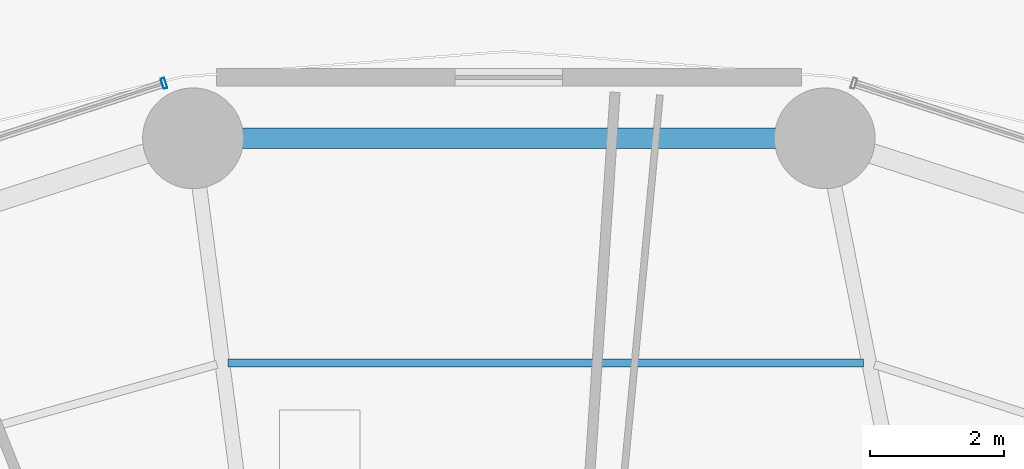
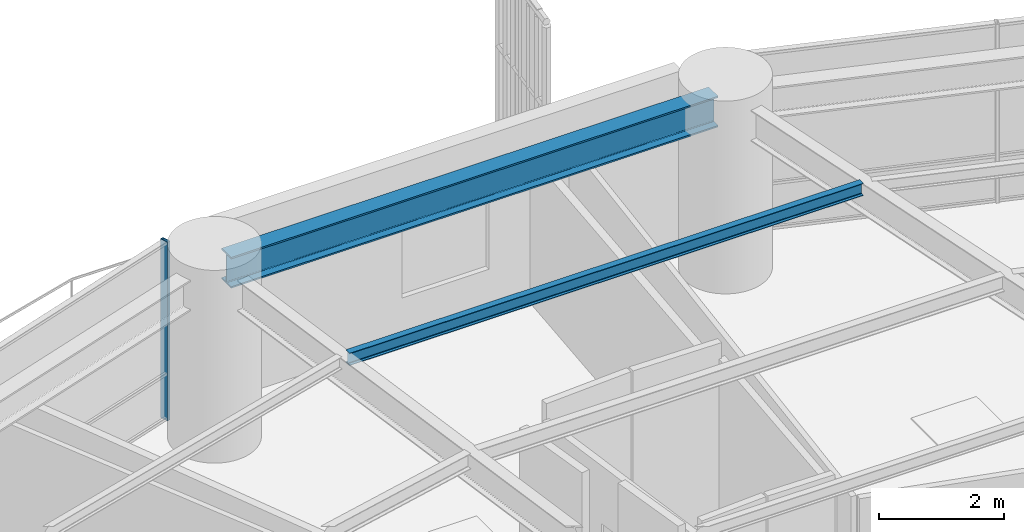
# One storey, part 18 of 34: 2 beams, 1 member, 1 element without a shape of its own.
"""IFC4 building model written with IfcOpenShell, lengths in metres."""

from ifc_helpers import new_model, si_unit, direction, frame, origin, origin_2d, place, context, subcontext, project, spatial, hollow_rectangle, i_section, extrude, material, layer, layer_set, material_profile, profile_set, type_object, element, aggregate, save


model = new_model("IFC4")

# Units and contexts
model_context = context("Model", 3, precision=1e-05, world=origin(), true_north=direction((0.0, 1.0)))
body_context = subcontext(model_context, "Body", "Model", "MODEL_VIEW")
ifc_project = project(units=[si_unit("LENGTHUNIT", "METRE"), si_unit("AREAUNIT", "SQUARE_METRE"), si_unit("VOLUMEUNIT", "CUBIC_METRE"), si_unit("PLANEANGLEUNIT", "RADIAN"), si_unit("MASSUNIT", "GRAM", prefix="KILO")], contexts=[model_context])

# Site, building, storey
site_placement = place(None, origin())
site = spatial("IfcSite", under=ifc_project, at=site_placement, CompositionType="ELEMENT")
building_placement = place(site_placement, origin())
building = spatial("IfcBuilding", under=site, at=building_placement, Name="Kelanora Arch Commons", CompositionType="ELEMENT")
storey_placement = place(building_placement, frame((0.0, 0.0, 33.75)))
storey = spatial("IfcBuildingStorey", under=building, at=storey_placement, Name="L08", CompositionType="ELEMENT", Elevation=33.75)

# Beams
ifc_material_1 = material(Name="Steel S355", Category="steel")
ifc_material_profile_1 = material_profile(ifc_material_1, i_section(OverallWidth=0.1201171875, OverallDepth=0.239990234375, WebThickness=0.006103515625, FlangeThickness=0.009765625, FilletRadius=0.014892578125, at=origin_2d()), Name="IPE240")
ifc_profile_set_1 = profile_set([ifc_material_profile_1], Name="Steel S355")
beam_type_1 = type_object("IfcBeamType", Name="BM-JST-02", PredefinedType="JOIST", material=ifc_profile_set_1)
beam_1_placement = place(storey_placement, frame((79.27685546875, 78.371337890625, 3.3701171875), z_axis=(-1.0, 0.0, 0.0), x_axis=(0.0, -1.0, 0.0)))
element("IfcBeam", 1, at=beam_1_placement, inside=storey, type_object=beam_type_1, Name="Secondary Chord Joist BJC-08 L08", PredefinedType="JOIST", context=body_context, shape_type="SweptSolid", body=[
    extrude(i_section(OverallWidth=0.1201171875, OverallDepth=0.239990234375, WebThickness=0.006103515625, FlangeThickness=0.009765625, FilletRadius=0.014892578125, at=origin_2d()), origin(), (0.0, 0.0, 1.0), 9.457763671875),
])
ifc_material_profile_2 = material_profile(ifc_material_1, i_section(OverallWidth=0.300048828125, OverallDepth=0.60009765625, WebThickness=0.015380859375, FlangeThickness=0.030029296875, FilletRadius=0.027099609375, at=origin_2d()), Name="HEB600")
ifc_profile_set_2 = profile_set([ifc_material_profile_2], Name="Steel S355")
beam_type_2 = type_object("IfcBeamType", Name="BM-SPN-Z1", PredefinedType="SPANDREL", material=ifc_profile_set_2)
beam_2_placement = place(storey_placement, frame((78.482421875, 81.714111328125, 3.18994140625), z_axis=(-1.0, 0.0, 0.0), x_axis=(0.0, -1.0, 0.0)))
element("IfcBeam", 2, at=beam_2_placement, inside=storey, type_object=beam_type_2, Name="Perimeter Spandrel Beam BS-08 L08", PredefinedType="SPANDREL", context=body_context, shape_type="SweptSolid", body=[
    extrude(i_section(OverallWidth=0.300048828125, OverallDepth=0.60009765625, WebThickness=0.015380859375, FlangeThickness=0.030029296875, FilletRadius=0.027099609375, at=origin_2d()), origin(), (0.0, 0.0, 1.0), 8.96484375),
])

# Curtain wall, member
ifc_material_2 = material(Name="Terracotta ceramic-fritted low-E glass and aluminium", Category="masonry")
ifc_layer = layer(ifc_material_2, 0.159912109375)
ifc_layer_set = layer_set([ifc_layer], Name="Terracotta ceramic-fritted low-E glass and aluminium")
curtain_wall_type = type_object("IfcCurtainWallType", Name="CW-SYS-01", PredefinedType="NOTDEFINED", material=ifc_layer_set)
curtain_wall_placement = place(storey_placement, origin())
curtain_wall = element("IfcCurtainWall", 3, at=curtain_wall_placement, inside=storey, type_object=curtain_wall_type, Name="Unitised Curtain Wall L08-B05", PredefinedType="NOTDEFINED")
ifc_material_3 = material(Name="Powder-coated aluminium terracotta", Category="masonry")
ifc_material_profile_3 = material_profile(ifc_material_3, hollow_rectangle(XDim=0.159912109375, YDim=0.06005859375, WallThickness=0.0048828125, InnerFilletRadius=0.0048828125, OuterFilletRadius=0.010009765625, at=origin_2d()), Name="CWM160x60")
ifc_profile_set_3 = profile_set([ifc_material_profile_3], Name="Powder-coated aluminium terracotta")
member_type = type_object("IfcMemberType", Name="CWM-STD", PredefinedType="MULLION", material=ifc_profile_set_3)
member_placement = place(storey_placement, frame((68.865478515625, 82.53173828125, 0.0), z_axis=(0.0, 0.0, 1.0), x_axis=(0.30905758454, -0.951043326793, 0.0)))
member = element("IfcMember", 4, at=member_placement, type_object=member_type, Name="CW-01 mullion 1", PredefinedType="MULLION", context=body_context, shape_type="SweptSolid", body=[
    extrude(hollow_rectangle(XDim=0.159912109375, YDim=0.06005859375, WallThickness=0.0048828125, InnerFilletRadius=0.0048828125, OuterFilletRadius=0.010009765625, at=origin_2d()), origin(), (0.0, 0.0, 1.0), 3.47509765625),
])
aggregate(curtain_wall, [member])

save(model, "model.ifc")
